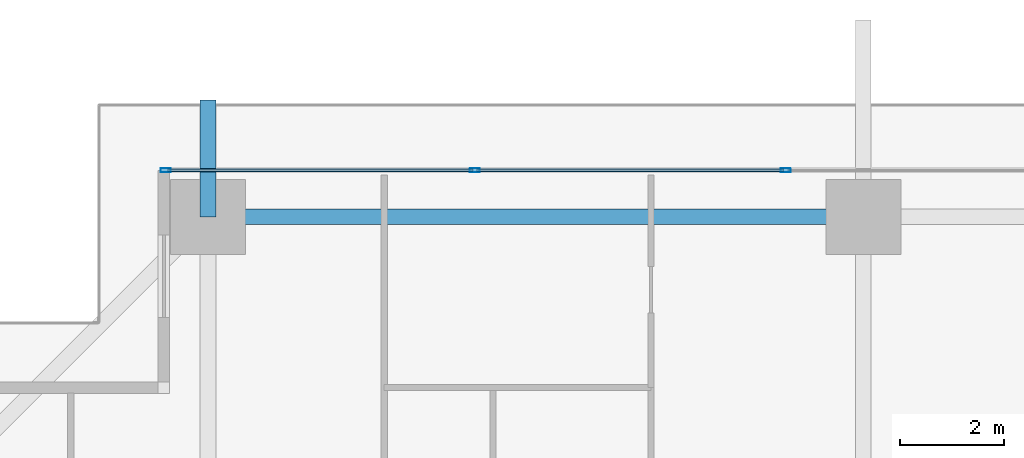
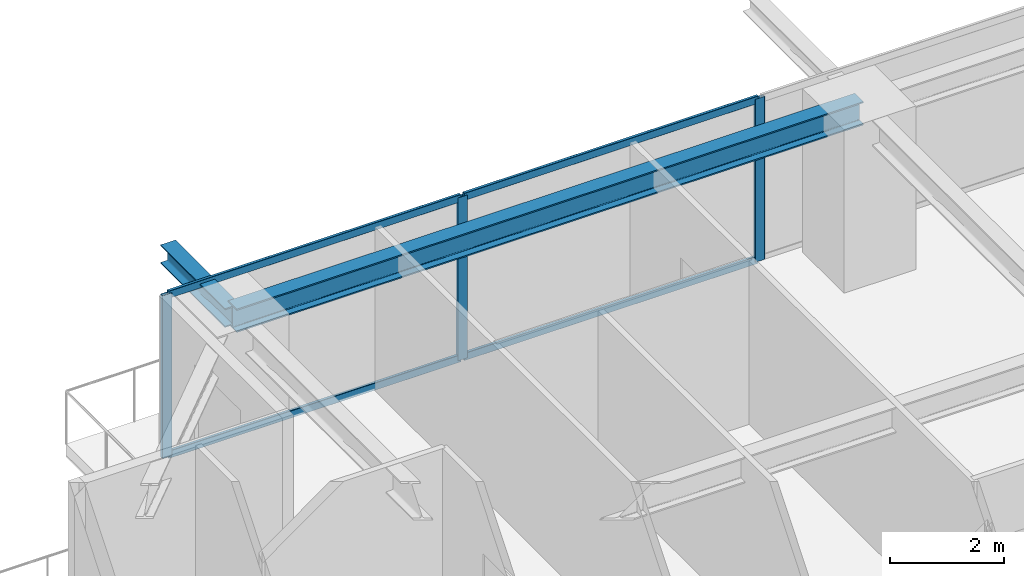
# One storey, part 20 of 39: 7 members, 2 beams, 1 element without a shape of its own.
"""IFC4 building model written with IfcOpenShell, lengths in metres."""

from ifc_helpers import new_model, si_unit, direction, frame, origin, origin_2d, place, context, subcontext, project, spatial, hollow_rectangle, i_section, extrude, source, transform, mapped, material, layer, layer_set, material_profile, profile_set, type_object, element, aggregate, save


model = new_model("IFC4")

# Units and contexts
model_context = context("Model", 3, precision=1e-05, world=origin(), true_north=direction((0.0, 1.0)))
body_context = subcontext(model_context, "Body", "Model", "MODEL_VIEW")
ifc_project = project(units=[si_unit("LENGTHUNIT", "METRE"), si_unit("AREAUNIT", "SQUARE_METRE"), si_unit("VOLUMEUNIT", "CUBIC_METRE"), si_unit("PLANEANGLEUNIT", "RADIAN"), si_unit("MASSUNIT", "GRAM", prefix="KILO")], contexts=[model_context])

# Site, building, storey
site_placement = place(None, origin())
site = spatial("IfcSite", under=ifc_project, at=site_placement, CompositionType="ELEMENT")
building_placement = place(site_placement, origin())
building = spatial("IfcBuilding", under=site, at=building_placement, Name="Serunith Strait Residences", CompositionType="ELEMENT")
storey_placement = place(building_placement, frame((0.0, 0.0, 94.199951171875)))
storey = spatial("IfcBuildingStorey", under=building, at=storey_placement, Name="L23", CompositionType="ELEMENT", Elevation=94.199951171875)

# Beams
ifc_material_1 = material(Name="Steel S355J2", Category="steel")
ifc_material_profile_1 = material_profile(ifc_material_1, i_section(OverallWidth=0.300048828125, OverallDepth=0.5, WebThickness=0.014404296875, FlangeThickness=0.028076171875, FilletRadius=0.027099609375, at=origin_2d()), Name="HEB 500")
ifc_profile_set_1 = profile_set([ifc_material_profile_1], Name="Steel S355J2")
beam_type_1 = type_object("IfcBeamType", Name="BM-HEB500", PredefinedType="BEAM", material=ifc_profile_set_1)
shared_shape_1 = source(origin(), body_context, "Body", "SweptSolid", [
    extrude(i_section(OverallWidth=0.300048828125, OverallDepth=0.5, WebThickness=0.014404296875, FlangeThickness=0.028076171875, FilletRadius=0.027099609375, at=origin_2d()), origin(), (0.0, 0.0, 1.0), 12.64990234375),
])
beam_1_placement = place(storey_placement, frame((27.89990234375, 49.300048828125, 3.237060546875), z_axis=(-1.0, 0.0, 0.0), x_axis=(0.0, -1.0, 0.0)))
element("IfcBeam", 1, at=beam_1_placement, inside=storey, type_object=beam_type_1, Name="L23 Perimeter Ring Beam 11", PredefinedType="BEAM", context=body_context, shape_type="MappedRepresentation", body=[
    mapped(shared_shape_1, transform((0.0, 0.0, 0.0), scale=1.0)),
])
ifc_material_profile_2 = material_profile(ifc_material_1, i_section(OverallWidth=0.300048828125, OverallDepth=0.39990234375, WebThickness=0.013427734375, FlangeThickness=0.02392578125, FilletRadius=0.027099609375, at=origin_2d()), Name="HEB 400")
ifc_profile_set_2 = profile_set([ifc_material_profile_2], Name="Steel S355J2")
beam_type_2 = type_object("IfcBeamType", Name="BM-HEB400", PredefinedType="BEAM", material=ifc_profile_set_2)
shared_shape_2 = source(origin(), body_context, "Body", "SweptSolid", [
    extrude(i_section(OverallWidth=0.300048828125, OverallDepth=0.39990234375, WebThickness=0.013427734375, FlangeThickness=0.02392578125, FilletRadius=0.027099609375, at=origin_2d()), origin(), (0.0, 0.0, 1.0), 2.25146484375),
])
beam_2_placement = place(storey_placement, frame((15.25, 49.300048828125, 3.257080078125), z_axis=(0.0, 1.0, 0.0), x_axis=(-1.0, 0.0, 0.0)))
element("IfcBeam", 2, at=beam_2_placement, inside=storey, type_object=beam_type_2, Name="L24 Cantilevered Balcony Rib TC-N1", PredefinedType="BEAM", context=body_context, shape_type="MappedRepresentation", body=[
    mapped(shared_shape_2, transform((0.0, 0.0, 0.0), scale=1.0)),
])

# Curtain wall, members
ifc_material_2 = material(Name="Pale-Champagne Anodised Aluminium", Category="aluminium")
ifc_layer = layer(ifc_material_2, 0.199951171875, Name="Pale-Champagne Anodised Aluminium")
ifc_layer_set = layer_set([ifc_layer], Name="Pale-Champagne Anodised Aluminium")
curtain_wall_type = type_object("IfcCurtainWallType", Name="CW-SYS1", PredefinedType="NOTDEFINED", material=ifc_layer_set)
curtain_wall_placement = place(storey_placement, origin())
curtain_wall = element("IfcCurtainWall", 3, at=curtain_wall_placement, inside=storey, type_object=curtain_wall_type, Name="L23 N Unitised Fritted Curtain Wall", PredefinedType="NOTDEFINED")
ifc_material_profile_3 = material_profile(ifc_material_2, hollow_rectangle(XDim=0.070068359375, YDim=0.199951171875, WallThickness=0.00390625, InnerFilletRadius=0.006103515625, OuterFilletRadius=0.010009765625, at=origin_2d()), Name="ALU 200x70x4")
ifc_profile_set_3 = profile_set([ifc_material_profile_3], Name="Pale-Champagne Anodised Aluminium")
member_type_1 = type_object("IfcMemberType", Name="CW-SYS1-MULL", PredefinedType="MULLION", material=ifc_profile_set_3)
shared_shape_3 = source(origin(), body_context, "Body", "SweptSolid", [
    extrude(hollow_rectangle(XDim=0.070068359375, YDim=0.199951171875, WallThickness=0.00390625, InnerFilletRadius=0.006103515625, OuterFilletRadius=0.010009765625, at=origin_2d()), origin(), (0.0, 0.0, 1.0), 3.47509765625),
])
member_1_placement = place(storey_placement, frame((26.39990234375, 50.199951171875, 0.0), z_axis=(0.0, 0.0, 1.0), x_axis=(0.0, -1.0, 0.0)))
member_1 = element("IfcMember", 4, at=member_1_placement, type_object=member_type_1, Name="CW-1 mullion 5", PredefinedType="MULLION", context=body_context, shape_type="MappedRepresentation", body=[
    mapped(shared_shape_3, transform((0.0, 0.0, 0.0), scale=1.0)),
])
member_2_placement = place(storey_placement, frame((20.39990234375, 50.199951171875, 0.0), z_axis=(0.0, 0.0, 1.0), x_axis=(0.0, -1.0, 0.0)))
member_2 = element("IfcMember", 5, at=member_2_placement, type_object=member_type_1, Name="CW-1 mullion 6", PredefinedType="MULLION", context=body_context, shape_type="MappedRepresentation", body=[
    mapped(shared_shape_3, transform((0.0, 0.0, 0.0), scale=1.0)),
])
member_3_placement = place(storey_placement, frame((14.43505859375, 50.199951171875, 0.0), z_axis=(0.0, 0.0, 1.0), x_axis=(0.0, -1.0, 0.0)))
member_3 = element("IfcMember", 6, at=member_3_placement, type_object=member_type_1, Name="CW-1 mullion 7", PredefinedType="MULLION", context=body_context, shape_type="MappedRepresentation", body=[
    mapped(shared_shape_3, transform((0.0, 0.0, 0.0), scale=1.0)),
])
ifc_material_profile_4 = material_profile(ifc_material_2, hollow_rectangle(XDim=0.06005859375, YDim=0.159912109375, WallThickness=0.00341796875, InnerFilletRadius=0.00537109375, OuterFilletRadius=0.0087890625, at=origin_2d()), Name="ALU 160x60x3.5")
ifc_profile_set_4 = profile_set([ifc_material_profile_4], Name="Pale-Champagne Anodised Aluminium")
member_type_2 = type_object("IfcMemberType", Name="CW-SYS1-TRAN", PredefinedType="USERDEFINED", material=ifc_profile_set_4)
shared_shape_4 = source(origin(), body_context, "Body", "SweptSolid", [
    extrude(hollow_rectangle(XDim=0.06005859375, YDim=0.159912109375, WallThickness=0.00341796875, InnerFilletRadius=0.00537109375, OuterFilletRadius=0.0087890625, at=origin_2d()), origin(), (0.0, 0.0, 1.0), 5.89501953125),
])
member_4_placement = place(storey_placement, frame((20.364990234375, 50.199951171875, 0.030029296875), z_axis=(-1.0, 0.0, 0.0), x_axis=(0.0, -1.0, 0.0)))
member_4 = element("IfcMember", 7, at=member_4_placement, type_object=member_type_2, Name="CW-1 transom 6.1", ObjectType="TRANSOM", PredefinedType="USERDEFINED", context=body_context, shape_type="MappedRepresentation", body=[
    mapped(shared_shape_4, transform((0.0, 0.0, 0.0), scale=1.0)),
])
member_5_placement = place(storey_placement, frame((20.364990234375, 50.199951171875, 3.445068359375), z_axis=(-1.0, 0.0, 0.0), x_axis=(0.0, -1.0, 0.0)))
member_5 = element("IfcMember", 8, at=member_5_placement, type_object=member_type_2, Name="CW-1 transom 6.2", ObjectType="TRANSOM", PredefinedType="USERDEFINED", context=body_context, shape_type="MappedRepresentation", body=[
    mapped(shared_shape_4, transform((0.0, 0.0, 0.0), scale=1.0)),
])
shared_shape_5 = source(origin(), body_context, "Body", "SweptSolid", [
    extrude(hollow_rectangle(XDim=0.06005859375, YDim=0.159912109375, WallThickness=0.00341796875, InnerFilletRadius=0.00537109375, OuterFilletRadius=0.0087890625, at=origin_2d()), origin(), (0.0, 0.0, 1.0), 5.929931640625),
])
member_6_placement = place(storey_placement, frame((26.364990234375, 50.199951171875, 0.030029296875), z_axis=(-1.0, 0.0, 0.0), x_axis=(0.0, -1.0, 0.0)))
member_6 = element("IfcMember", 9, at=member_6_placement, type_object=member_type_2, Name="CW-1 transom 5.1", ObjectType="TRANSOM", PredefinedType="USERDEFINED", context=body_context, shape_type="MappedRepresentation", body=[
    mapped(shared_shape_5, transform((0.0, 0.0, 0.0), scale=1.0)),
])
member_7_placement = place(storey_placement, frame((26.364990234375, 50.199951171875, 3.445068359375), z_axis=(-1.0, 0.0, 0.0), x_axis=(0.0, -1.0, 0.0)))
member_7 = element("IfcMember", 10, at=member_7_placement, type_object=member_type_2, Name="CW-1 transom 5.2", ObjectType="TRANSOM", PredefinedType="USERDEFINED", context=body_context, shape_type="MappedRepresentation", body=[
    mapped(shared_shape_5, transform((0.0, 0.0, 0.0), scale=1.0)),
])
aggregate(curtain_wall, [member_1, member_2, member_3, member_6, member_7, member_4, member_5])

save(model, "model.ifc")
